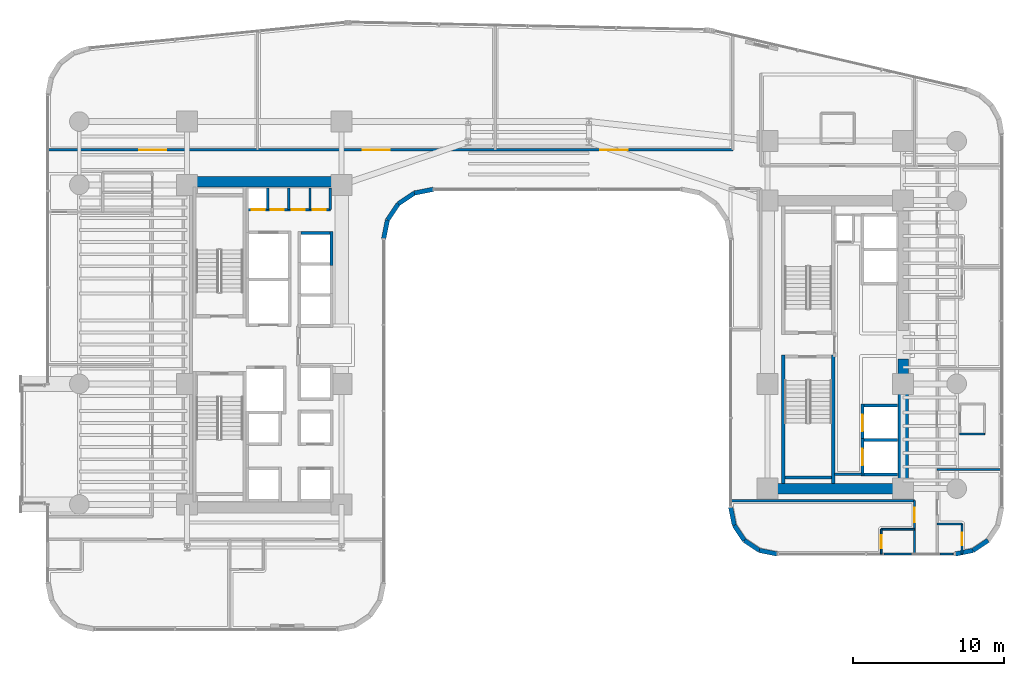
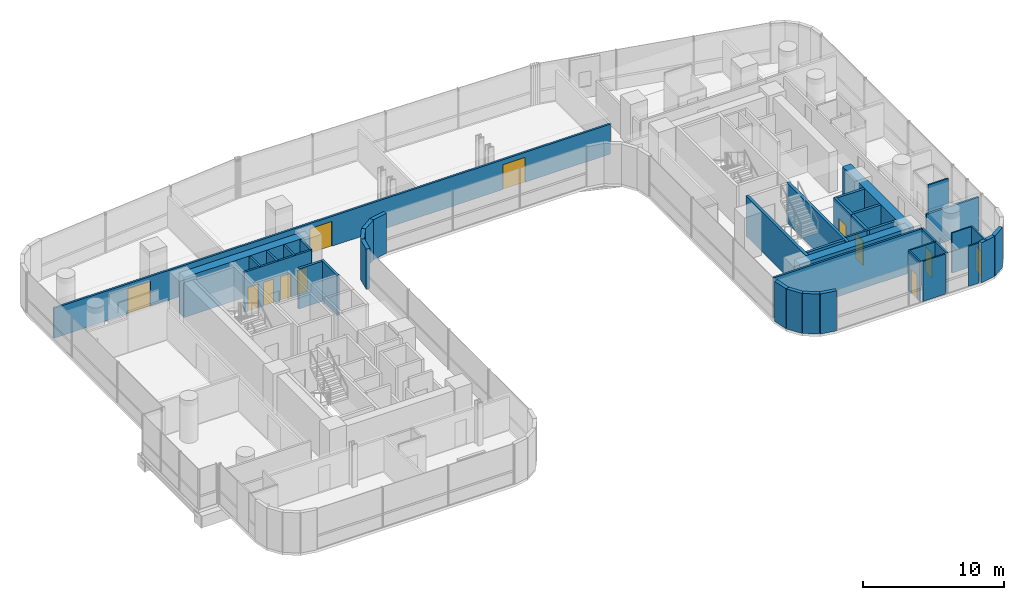
# One storey, part 32 of 41: 40 walls, 12 doors, 12 openings.
"""IFC4 building model written with IfcOpenShell, lengths in metres."""

from ifc_helpers import new_model, si_unit, direction, frame, frame_2d, origin, place, context, subcontext, project, spatial, rectangle, extrude, material, layer, layer_set, type_object, element, fill, save


model = new_model("IFC4")

# Units and contexts
model_context = context("Model", 3, precision=1e-05, world=origin(), true_north=direction((0.0, 1.0)))
body_context = subcontext(model_context, "Body", "Model", "MODEL_VIEW")
ifc_project = project(units=[si_unit("LENGTHUNIT", "METRE"), si_unit("AREAUNIT", "SQUARE_METRE"), si_unit("VOLUMEUNIT", "CUBIC_METRE"), si_unit("PLANEANGLEUNIT", "RADIAN"), si_unit("MASSUNIT", "GRAM", prefix="KILO")], contexts=[model_context])

# Site, building, storey
site_placement = place(None, origin())
site = spatial("IfcSite", under=ifc_project, at=site_placement, CompositionType="ELEMENT")
building_placement = place(site_placement, origin())
building = spatial("IfcBuilding", under=site, at=building_placement, Name="Valdorenza Pilgrim Sanctuary Tower", CompositionType="ELEMENT")
storey_placement = place(building_placement, frame((0.0, 0.0, 63.0)))
storey = spatial("IfcBuildingStorey", under=building, at=storey_placement, Name="L15", CompositionType="ELEMENT", Elevation=63.0)

# Wall, openings, doors
ifc_material_1 = material(Name="Acoustic twin-stud gypsum partition", Category="gypsum")
ifc_layer_1 = layer(ifc_material_1, 0.159912109375, Name="Acoustic twin-stud gypsum partition")
ifc_layer_set_1 = layer_set([ifc_layer_1], Name="Acoustic twin-stud gypsum partition")
wall_type_1 = type_object("IfcWallType", Name="WAL-COR-160", PredefinedType="PARTITIONING", material=ifc_layer_set_1)
wall_1_placement = place(storey_placement, frame((-18.64990234375, 8.949951171875, 0.0), z_axis=(0.0, 0.0, 1.0), x_axis=(1.0, 0.0, 0.0)))
wall_1 = element("IfcWall", 1, at=wall_1_placement, inside=storey, type_object=wall_type_1, Name="L15 Core A North Service South Wall", PredefinedType="PARTITIONING", context=body_context, shape_type="SweptSolid", body=[
    extrude(rectangle(XDim=5.5, YDim=0.159912109375, at=frame_2d((2.75, 0.0))), origin(), (0.0, 0.0, 1.0), 3.4599609375),
])
opening_1_placement = place(wall_1_placement, frame((0.300048828125, 0.0, 0.0)))
opening_1 = element("IfcOpeningElement", 2, at=opening_1_placement, cuts=wall_1, Name="Opening DR-RS1", PredefinedType="OPENING", context=body_context, shape_type="SweptSolid", body=[
    extrude(rectangle(XDim=0.85009765625, YDim=2.050048828125, at=frame_2d((0.425048828125, 1.02490234375))), frame((0.0, 0.0947265625, 0.0), z_axis=(0.0, -1.0, 0.0), x_axis=(1.0, 0.0, 0.0)), (0.0, 0.0, 1.0), 0.189697265625),
])
opening_2_placement = place(wall_1_placement, frame((1.550048828125, 0.0, 0.0)))
opening_2 = element("IfcOpeningElement", 3, at=opening_2_placement, cuts=wall_1, Name="Opening DR-RS1", PredefinedType="OPENING", context=body_context, shape_type="SweptSolid", body=[
    extrude(rectangle(XDim=0.85009765625, YDim=2.050048828125, at=frame_2d((0.425048828125, 1.02490234375))), frame((0.0, 0.0947265625, 0.0), z_axis=(0.0, -1.0, 0.0), x_axis=(1.0, 0.0, 0.0)), (0.0, 0.0, 1.0), 0.189697265625),
])
opening_3_placement = place(wall_1_placement, frame((2.949951171875, 0.0, 0.0)))
opening_3 = element("IfcOpeningElement", 4, at=opening_3_placement, cuts=wall_1, Name="Opening DR-RS1", PredefinedType="OPENING", context=body_context, shape_type="SweptSolid", body=[
    extrude(rectangle(XDim=0.85009765625, YDim=2.050048828125, at=frame_2d((0.425048828125, 1.02490234375))), frame((0.0, 0.0947265625, 0.0), z_axis=(0.0, -1.0, 0.0), x_axis=(1.0, 0.0, 0.0)), (0.0, 0.0, 1.0), 0.189697265625),
])
opening_4_placement = place(wall_1_placement, frame((4.35009765625, 0.0, 0.0)))
opening_4 = element("IfcOpeningElement", 5, at=opening_4_placement, cuts=wall_1, Name="Opening DR-RS1", PredefinedType="OPENING", context=body_context, shape_type="SweptSolid", body=[
    extrude(rectangle(XDim=0.85009765625, YDim=2.050048828125, at=frame_2d((0.425048828125, 1.02490234375))), frame((0.0, 0.0947265625, 0.0), z_axis=(0.0, -1.0, 0.0), x_axis=(1.0, 0.0, 0.0)), (0.0, 0.0, 1.0), 0.189697265625),
])
ifc_material_2 = material(Name="Painted galvanized steel", Category="steel")
door_type_1 = type_object("IfcDoorType", Name="DR-RSR-850", OperationType="NOTDEFINED", PredefinedType="DOOR", material=ifc_material_2)
door_1_placement = place(opening_1_placement, origin())
door_1 = element("IfcDoor", 6, at=door_1_placement, inside=storey, type_object=door_type_1, Name="L15 Core Electrical and Telecom Riser Door", OperationType="SINGLE_SWING_LEFT", OverallHeight=2.050048828125, OverallWidth=0.85009765625, PredefinedType="DOOR", context=body_context, shape_type="SweptSolid", body=[
    extrude(rectangle(XDim=0.85009765625, YDim=2.050048828125, at=frame_2d((0.425048828125, 1.02490234375))), frame((0.0, 0.02490234375, 0.0), z_axis=(0.0, -1.0, 0.0), x_axis=(1.0, 0.0, 0.0)), (0.0, 0.0, 1.0), 0.050048828125),
])
fill(opening_1, door_1)
door_2_placement = place(opening_2_placement, origin())
door_2 = element("IfcDoor", 7, at=door_2_placement, inside=storey, type_object=door_type_1, Name="L15 Housekeeping and Clean Linen Room Door", OperationType="SINGLE_SWING_RIGHT", OverallHeight=2.050048828125, OverallWidth=0.85009765625, PredefinedType="DOOR", context=body_context, shape_type="SweptSolid", body=[
    extrude(rectangle(XDim=0.85009765625, YDim=2.050048828125, at=frame_2d((0.425048828125, 1.02490234375))), frame((0.0, 0.02490234375, 0.0), z_axis=(0.0, -1.0, 0.0), x_axis=(1.0, 0.0, 0.0)), (0.0, 0.0, 1.0), 0.050048828125),
])
fill(opening_2, door_2)
door_3_placement = place(opening_3_placement, origin())
door_3 = element("IfcDoor", 8, at=door_3_placement, inside=storey, type_object=door_type_1, Name="L15 Core IT Server Closet Door", OperationType="SINGLE_SWING_LEFT", OverallHeight=2.050048828125, OverallWidth=0.85009765625, PredefinedType="DOOR", context=body_context, shape_type="SweptSolid", body=[
    extrude(rectangle(XDim=0.85009765625, YDim=2.050048828125, at=frame_2d((0.425048828125, 1.02490234375))), frame((0.0, 0.02490234375, 0.0), z_axis=(0.0, -1.0, 0.0), x_axis=(1.0, 0.0, 0.0)), (0.0, 0.0, 1.0), 0.050048828125),
])
fill(opening_3, door_3)
door_4_placement = place(opening_4_placement, origin())
door_4 = element("IfcDoor", 9, at=door_4_placement, inside=storey, type_object=door_type_1, Name="L15 Core Staff Washroom Door", OperationType="SINGLE_SWING_RIGHT", OverallHeight=2.050048828125, OverallWidth=0.85009765625, PredefinedType="DOOR", context=body_context, shape_type="SweptSolid", body=[
    extrude(rectangle(XDim=0.85009765625, YDim=2.050048828125, at=frame_2d((0.425048828125, 1.02490234375))), frame((0.0, 0.02490234375, 0.0), z_axis=(0.0, -1.0, 0.0), x_axis=(1.0, 0.0, 0.0)), (0.0, 0.0, 1.0), 0.050048828125),
])
fill(opening_4, door_4)

# Walls
for number, where, z_axis, x_axis, name in (
    (10, (-13.14990234375, 8.949951171875, 0.0), (0.0, 0.0, 1.0), (0.0, 1.0, 0.0), "L15 Core A North Service East Wall"),
    (11, (-17.300048828125, 8.949951171875, 0.0), (0.0, 0.0, 1.0), (0.0, 1.0, 0.0), "L15 Core Electrical Riser Wall"),
    (12, (-15.89990234375, 8.949951171875, 0.0), (0.0, 0.0, 1.0), (0.0, 1.0, 0.0), "L15 Core A Split D1"),
    (13, (-14.5, 8.949951171875, 0.0), (0.0, 0.0, 1.0), (0.0, 1.0, 0.0), "L15 Core A Split D2"),
):
    element("IfcWall", number, at=place(storey_placement, frame(where, z_axis=z_axis, x_axis=x_axis)), inside=storey, type_object=wall_type_1, Name=name, PredefinedType="PARTITIONING", context=body_context, shape_type="SweptSolid", body=[
        extrude(rectangle(XDim=1.429931640625, YDim=0.159912109375, at=frame_2d((0.71484375, 0.0))), origin(), (0.0, 0.0, 1.0), 3.4599609375),
    ])
wall_2_placement = place(storey_placement, frame((20.300048828125, -8.60009765625, 0.0), z_axis=(0.0, 0.0, 1.0), x_axis=(1.0, 0.0, 0.0)))
element("IfcWall", 14, at=wall_2_placement, inside=storey, type_object=wall_type_1, Name="L15 Core B Lift Hall South End Wall", PredefinedType="PARTITIONING", context=body_context, shape_type="SweptSolid", body=[
    extrude(rectangle(XDim=1.820068359375, YDim=0.159912109375, at=frame_2d((0.91015625, 0.0))), origin(), (0.0, 0.0, 1.0), 3.4599609375),
])

# Wall, openings, doors
wall_3_placement = place(storey_placement, frame((-31.889892578125, 12.919921875, 0.0), z_axis=(0.0, 0.0, 1.0), x_axis=(1.0, 0.0, 0.0)))
wall_3 = element("IfcWall", 15, at=wall_3_placement, inside=storey, type_object=wall_type_1, Name="L15 North Corridor Wall", PredefinedType="PARTITIONING", context=body_context, shape_type="SweptSolid", body=[
    extrude(rectangle(XDim=45.43994140625, YDim=0.159912109375, at=frame_2d((22.719970703125, 0.0))), origin(), (0.0, 0.0, 1.0), 2.5830078125),
])
opening_5_placement = place(wall_3_placement, frame((6.056884765625, 0.0, 0.0)))
opening_5 = element("IfcOpeningElement", 16, at=opening_5_placement, cuts=wall_3, Name="Opening DR-HL1", PredefinedType="OPENING", context=body_context, shape_type="SweptSolid", body=[
    extrude(rectangle(XDim=1.800048828125, YDim=2.14990234375, at=frame_2d((0.89990234375, 1.074951171875))), frame((0.0, 0.0947265625, 0.0), z_axis=(0.0, -1.0, 0.0), x_axis=(1.0, 0.0, 0.0)), (0.0, 0.0, 1.0), 0.189697265625),
])
opening_6_placement = place(wall_3_placement, frame((20.89501953125, 0.0, 0.0)))
opening_6 = element("IfcOpeningElement", 17, at=opening_6_placement, cuts=wall_3, Name="Opening DR-HL1", PredefinedType="OPENING", context=body_context, shape_type="SweptSolid", body=[
    extrude(rectangle(XDim=1.800048828125, YDim=2.14990234375, at=frame_2d((0.89990234375, 1.074951171875))), frame((0.0, 0.0947265625, 0.0), z_axis=(0.0, -1.0, 0.0), x_axis=(1.0, 0.0, 0.0)), (0.0, 0.0, 1.0), 0.189697265625),
])
opening_7_placement = place(wall_3_placement, frame((36.657958984375, 0.0, 0.0)))
opening_7 = element("IfcOpeningElement", 18, at=opening_7_placement, cuts=wall_3, Name="Opening DR-HL1", PredefinedType="OPENING", context=body_context, shape_type="SweptSolid", body=[
    extrude(rectangle(XDim=1.800048828125, YDim=2.14990234375, at=frame_2d((0.89990234375, 1.074951171875))), frame((0.0, 0.0947265625, 0.0), z_axis=(0.0, -1.0, 0.0), x_axis=(1.0, 0.0, 0.0)), (0.0, 0.0, 1.0), 0.189697265625),
])
ifc_material_3 = material(Name="Acoustic oak and vision-glass double door", Category="glass")
door_type_2 = type_object("IfcDoorType", Name="DR-HALL-1800", OperationType="NOTDEFINED", PredefinedType="DOOR", material=ifc_material_3)
door_5_placement = place(opening_5_placement, origin())
door_5 = element("IfcDoor", 19, at=door_5_placement, inside=storey, type_object=door_type_2, Name="L15 Sacred Art Exhibition Gallery L15-NG1 Door", OperationType="DOUBLE_DOOR_SINGLE_SWING", OverallHeight=2.14990234375, OverallWidth=1.800048828125, PredefinedType="DOOR", context=body_context, shape_type="SweptSolid", body=[
    extrude(rectangle(XDim=1.800048828125, YDim=2.14990234375, at=frame_2d((0.89990234375, 1.074951171875))), frame((0.0, 0.02490234375, 0.0), z_axis=(0.0, -1.0, 0.0), x_axis=(1.0, 0.0, 0.0)), (0.0, 0.0, 1.0), 0.050048828125),
])
fill(opening_5, door_5)
door_6_placement = place(opening_6_placement, frame((1.800048828125, 0.0, 0.0), z_axis=(0.0, 0.0, 1.0), x_axis=(-1.0, 0.0, 0.0)))
door_6 = element("IfcDoor", 20, at=door_6_placement, inside=storey, type_object=door_type_2, Name="L15 Sacred Art Exhibition Gallery L15-NG2 Door", OperationType="DOUBLE_DOOR_SINGLE_SWING", OverallHeight=2.14990234375, OverallWidth=1.800048828125, PredefinedType="DOOR", context=body_context, shape_type="SweptSolid", body=[
    extrude(rectangle(XDim=1.800048828125, YDim=2.14990234375, at=frame_2d((0.89990234375, 1.074951171875))), frame((0.0, 0.02490234375, 0.0), z_axis=(0.0, -1.0, 0.0), x_axis=(1.0, 0.0, 0.0)), (0.0, 0.0, 1.0), 0.050048828125),
])
fill(opening_6, door_6)
door_7_placement = place(opening_7_placement, origin())
door_7 = element("IfcDoor", 21, at=door_7_placement, inside=storey, type_object=door_type_2, Name="L15 Sacred Art Exhibition Gallery L15-NG3 Door", OperationType="DOUBLE_DOOR_SINGLE_SWING", OverallHeight=2.14990234375, OverallWidth=1.800048828125, PredefinedType="DOOR", context=body_context, shape_type="SweptSolid", body=[
    extrude(rectangle(XDim=1.800048828125, YDim=2.14990234375, at=frame_2d((0.89990234375, 1.074951171875))), frame((0.0, 0.02490234375, 0.0), z_axis=(0.0, -1.0, 0.0), x_axis=(1.0, 0.0, 0.0)), (0.0, 0.0, 1.0), 0.050048828125),
])
fill(opening_7, door_7)

# Wall, opening, door
wall_4_placement = place(storey_placement, frame((25.60009765625, -13.889892578125, 0.0), z_axis=(0.0, 0.0, 1.0), x_axis=(0.0, 1.0, 0.0)))
wall_4 = element("IfcWall", 22, at=wall_4_placement, inside=storey, type_object=wall_type_1, Name="L15 Wing B South-East Corridor Wall", PredefinedType="PARTITIONING", context=body_context, shape_type="SweptSolid", body=[
    extrude(rectangle(XDim=3.539794921875, YDim=0.159912109375, at=frame_2d((1.77001953125, 0.0))), origin(), (0.0, 0.0, 1.0), 3.4599609375),
])
opening_8_placement = place(wall_4_placement, frame((2.1201171875, 0.0, 0.0)))
opening_8 = element("IfcOpeningElement", 23, at=opening_8_placement, cuts=wall_4, Name="Opening DR-UN1", PredefinedType="OPENING", context=body_context, shape_type="SweptSolid", body=[
    extrude(rectangle(XDim=0.949951171875, YDim=2.14990234375, at=frame_2d((0.47509765625, 1.074951171875))), frame((0.0, 0.0947265625, 0.0), z_axis=(0.0, -1.0, 0.0), x_axis=(1.0, 0.0, 0.0)), (0.0, 0.0, 1.0), 0.189697265625),
])
ifc_material_4 = material(Name="Solid-core European oak timber", Category="wood")
door_type_3 = type_object("IfcDoorType", Name="DR-UNIT-950", OperationType="NOTDEFINED", PredefinedType="DOOR", material=ifc_material_4)
door_8_placement = place(opening_8_placement, frame((0.949951171875, 0.0, 0.0), z_axis=(0.0, 0.0, 1.0), x_axis=(-1.0, 0.0, 0.0)))
door_8 = element("IfcDoor", 24, at=door_8_placement, inside=storey, type_object=door_type_3, Name="L15 East South Guest Room L15-ES1 Entrance Door", OperationType="SINGLE_SWING_LEFT", OverallHeight=2.14990234375, OverallWidth=0.949951171875, PredefinedType="DOOR", context=body_context, shape_type="SweptSolid", body=[
    extrude(rectangle(XDim=0.949951171875, YDim=2.14990234375, at=frame_2d((0.47509765625, 1.074951171875))), frame((0.0, 0.02490234375, 0.0), z_axis=(0.0, -1.0, 0.0), x_axis=(1.0, 0.0, 0.0)), (0.0, 0.0, 1.0), 0.050048828125),
])
fill(opening_8, door_8)

# Walls
wall_5_placement = place(storey_placement, frame((13.409912109375, -10.35009765625, 0.0), z_axis=(0.0, 0.0, 1.0), x_axis=(1.0, 0.0, 0.0)))
element("IfcWall", 25, at=wall_5_placement, inside=storey, type_object=wall_type_1, Name="L15 Wing B South North Wall", PredefinedType="PARTITIONING", context=body_context, shape_type="SweptSolid", body=[
    extrude(rectangle(XDim=12.190185546875, YDim=0.159912109375, at=frame_2d((6.09521484375, 0.0))), origin(), (0.0, 0.0, 1.0), 3.4599609375),
])
ifc_material_5 = material(Name="Concrete C60/75", Category="concrete")
ifc_layer_2 = layer(ifc_material_5, 0.699951171875, Name="Concrete C60/75")
ifc_layer_set_2 = layer_set([ifc_layer_2], Name="Concrete C60/75")
wall_type_2 = type_object("IfcWallType", Name="WAL-COR-700", PredefinedType="SHEAR", material=ifc_layer_set_2)
wall_6_placement = place(storey_placement, frame((-22.64990234375, 10.800048828125, 0.0), z_axis=(0.0, 0.0, 1.0), x_axis=(1.0, 0.0, 0.0)))
element("IfcWall", 26, at=wall_6_placement, inside=storey, type_object=wall_type_2, Name="L15 Split Core A Shear Wall N", PredefinedType="SHEAR", context=body_context, shape_type="SweptSolid", body=[
    extrude(rectangle(XDim=10.25, YDim=0.699951171875, at=frame_2d((5.125, 0.0))), origin(), (0.0, 0.0, 1.0), 3.4599609375),
])
wall_7_placement = place(storey_placement, frame((24.85009765625, -9.89990234375, 0.0), z_axis=(0.0, 0.0, 1.0), x_axis=(0.0, 1.0, 0.0)))
element("IfcWall", 27, at=wall_7_placement, inside=storey, type_object=wall_type_2, Name="L15 Split Core B Shear Wall ES", PredefinedType="SHEAR", context=body_context, shape_type="SweptSolid", body=[
    extrude(rectangle(XDim=8.949951171875, YDim=0.699951171875, at=frame_2d((4.47509765625, 0.0))), origin(), (0.0, 0.0, 1.0), 3.4599609375),
])
wall_8_placement = place(storey_placement, frame((15.85009765625, -9.550048828125, 0.0), z_axis=(0.0, 0.0, 1.0), x_axis=(1.0, 0.0, 0.0)))
element("IfcWall", 28, at=wall_8_placement, inside=storey, type_object=wall_type_2, Name="L15 Split Core B Shear Wall S", PredefinedType="SHEAR", context=body_context, shape_type="SweptSolid", body=[
    extrude(rectangle(XDim=9.0, YDim=0.699951171875, at=frame_2d((4.5, 0.0))), origin(), (0.0, 0.0, 1.0), 3.4599609375),
])
ifc_material_6 = material(Name="Honed travertine limestone", Category="masonry")
ifc_layer_3 = layer(ifc_material_6, 0.300048828125, Name="Honed travertine limestone")
ifc_layer_set_3 = layer_set([ifc_layer_3], Name="Honed travertine limestone")
wall_type_3 = type_object("IfcWallType", Name="WAL-EXT-300", PredefinedType="SOLIDWALL", material=ifc_layer_set_3)
wall_9_placement = place(storey_placement, frame((30.4833984375, -12.9833984375, 0.0), z_axis=(0.0, 0.0, 1.0), x_axis=(-0.831426265255, -0.555635100982, 0.0)))
element("IfcWall", 29, at=wall_9_placement, inside=storey, type_object=wall_type_3, Name="L15 Rounded Wind-Corner Stone Pier 24", PredefinedType="SOLIDWALL", context=body_context, shape_type="SweptSolid", body=[
    extrude(rectangle(XDim=1.204833984375, YDim=0.300048828125, at=frame_2d((0.6025390625, 0.0))), origin(), (0.0, 0.0, 1.0), 3.4599609375),
])
for number, where, z_axis, x_axis, name in (
    (30, (29.481689453125, -13.65283203125, 0.0), (0.0, 0.0, 1.0), (-0.980804027463, -0.194996050505, 0.0), "L15 Rounded Wind-Corner Stone Pier 25"),
    (31, (16.5107421875, -13.889892578125, 0.0), (0.0, 0.0, 1.0), (-0.980804027463, 0.194996050505, 0.0), "L15 Rounded Wind-Corner Stone Pier 27"),
):
    element("IfcWall", number, at=place(storey_placement, frame(where, z_axis=z_axis, x_axis=x_axis)), inside=storey, type_object=wall_type_3, Name=name, PredefinedType="SOLIDWALL", context=body_context, shape_type="SweptSolid", body=[
        extrude(rectangle(XDim=1.2158203125, YDim=0.300048828125, at=frame_2d((0.60791015625, 0.0))), origin(), (0.0, 0.0, 1.0), 3.4599609375),
    ])
for number, where, z_axis, x_axis, name in (
    (32, (15.318359375, -13.65283203125, 0.0), (0.0, 0.0, 1.0), (-0.831426265255, 0.555635100982, 0.0), "L15 Rounded Wind-Corner Stone Pier 28"),
    (33, (14.316650390625, -12.9833984375, 0.0), (0.0, 0.0, 1.0), (-0.555635100982, 0.831426265255, 0.0), "L15 Rounded Wind-Corner Stone Pier 29"),
):
    element("IfcWall", number, at=place(storey_placement, frame(where, z_axis=z_axis, x_axis=x_axis)), inside=storey, type_object=wall_type_3, Name=name, PredefinedType="SOLIDWALL", context=body_context, shape_type="SweptSolid", body=[
        extrude(rectangle(XDim=1.204833984375, YDim=0.300048828125, at=frame_2d((0.6025390625, 0.0))), origin(), (0.0, 0.0, 1.0), 3.4599609375),
    ])
wall_10_placement = place(storey_placement, frame((13.647216796875, -11.981689453125, 0.0), z_axis=(0.0, 0.0, 1.0), x_axis=(-0.195189223115, 0.980765602568, 0.0)))
element("IfcWall", 34, at=wall_10_placement, inside=storey, type_object=wall_type_3, Name="L15 Rounded Wind-Corner Stone Pier 30", PredefinedType="SOLIDWALL", context=body_context, shape_type="SweptSolid", body=[
    extrude(rectangle(XDim=1.2158203125, YDim=0.300048828125, at=frame_2d((0.60791015625, 0.0))), origin(), (0.0, 0.0, 1.0), 3.4599609375),
])
wall_11_placement = place(storey_placement, frame((-6.310791015625, 10.31005859375, 0.0), z_axis=(0.0, 0.0, 1.0), x_axis=(-0.980778058848, -0.195126623715, 0.0)))
element("IfcWall", 35, at=wall_11_placement, inside=storey, type_object=wall_type_3, Name="L15 Rounded Wind-Corner Stone Pier 37", PredefinedType="SOLIDWALL", context=body_context, shape_type="SweptSolid", body=[
    extrude(rectangle(XDim=1.28125, YDim=0.300048828125, at=frame_2d((0.640625, 0.0))), origin(), (0.0, 0.0, 1.0), 3.4599609375),
])
wall_12_placement = place(storey_placement, frame((-7.5673828125, 10.06005859375, 0.0), z_axis=(0.0, 0.0, 1.0), x_axis=(-0.831497739511, -0.555528135371, 0.0)))
element("IfcWall", 36, at=wall_12_placement, inside=storey, type_object=wall_type_3, Name="L15 Rounded Wind-Corner Stone Pier 38", PredefinedType="SOLIDWALL", context=body_context, shape_type="SweptSolid", body=[
    extrude(rectangle(XDim=1.29248046875, YDim=0.300048828125, at=frame_2d((0.646240234375, 0.0))), origin(), (0.0, 0.0, 1.0), 3.4599609375),
])
wall_13_placement = place(storey_placement, frame((-8.64208984375, 9.342041015625, 0.0), z_axis=(0.0, 0.0, 1.0), x_axis=(-0.555615398575, -0.831439431869, 0.0)))
element("IfcWall", 37, at=wall_13_placement, inside=storey, type_object=wall_type_3, Name="L15 Rounded Wind-Corner Stone Pier 39", PredefinedType="SOLIDWALL", context=body_context, shape_type="SweptSolid", body=[
    extrude(rectangle(XDim=1.292236328125, YDim=0.300048828125, at=frame_2d((0.64599609375, 0.0))), origin(), (0.0, 0.0, 1.0), 3.4599609375),
])
wall_14_placement = place(storey_placement, frame((-9.360107421875, 8.267578125, 0.0), z_axis=(0.0, 0.0, 1.0), x_axis=(-0.195090163074, -0.980785312019, 0.0)))
element("IfcWall", 38, at=wall_14_placement, inside=storey, type_object=wall_type_3, Name="L15 Rounded Wind-Corner Stone Pier 40", PredefinedType="SOLIDWALL", context=body_context, shape_type="SweptSolid", body=[
    extrude(rectangle(XDim=1.281494140625, YDim=0.300048828125, at=frame_2d((0.640625, 0.0))), origin(), (0.0, 0.0, 1.0), 3.4599609375),
])
ifc_material_7 = material(Name="Moisture-resistant gypsum partition", Category="gypsum")
ifc_layer_4 = layer(ifc_material_7, 0.1201171875, Name="Moisture-resistant gypsum partition")
ifc_layer_set_4 = layer_set([ifc_layer_4], Name="Moisture-resistant gypsum partition")
wall_type_4 = type_object("IfcWallType", Name="WAL-INT-120", PredefinedType="PARTITIONING", material=ifc_layer_set_4)
wall_15_placement = place(storey_placement, frame((23.39990234375, -12.239990234375, 0.0), z_axis=(0.0, 0.0, 1.0), x_axis=(1.0, 0.0, 0.0)))
element("IfcWall", 39, at=wall_15_placement, inside=storey, type_object=wall_type_4, Name="L15 East South Guest Room L15-ES1 En-suite North Wall", PredefinedType="PARTITIONING", context=body_context, shape_type="SweptSolid", body=[
    extrude(rectangle(XDim=2.2001953125, YDim=0.1201171875, at=frame_2d((1.10009765625, 0.0))), origin(), (0.0, 0.0, 1.0), 3.4599609375),
])

# Wall, opening, door
wall_16_placement = place(storey_placement, frame((23.39990234375, -13.889892578125, 0.0), z_axis=(0.0, 0.0, 1.0), x_axis=(0.0, 1.0, 0.0)))
wall_16 = element("IfcWall", 40, at=wall_16_placement, inside=storey, type_object=wall_type_4, Name="L15 East South Guest Room L15-ES1 En-suite Door Wall", PredefinedType="PARTITIONING", context=body_context, shape_type="SweptSolid", body=[
    extrude(rectangle(XDim=1.64990234375, YDim=0.1201171875, at=frame_2d((0.824951171875, 0.0))), origin(), (0.0, 0.0, 1.0), 3.4599609375),
])
opening_9_placement = place(wall_16_placement, frame((0.39990234375, 0.0, 0.0)))
opening_9 = element("IfcOpeningElement", 41, at=opening_9_placement, cuts=wall_16, Name="Opening DR-WC1", PredefinedType="OPENING", context=body_context, shape_type="SweptSolid", body=[
    extrude(rectangle(XDim=0.85009765625, YDim=2.10009765625, at=frame_2d((0.425048828125, 1.050048828125))), frame((0.0, 0.074951171875, 0.0), z_axis=(0.0, -1.0, 0.0), x_axis=(1.0, 0.0, 0.0)), (0.0, 0.0, 1.0), 0.14990234375),
])
ifc_material_8 = material(Name="Moisture-resistant lacquered timber", Category="wood")
door_type_4 = type_object("IfcDoorType", Name="DR-BATH-850", OperationType="NOTDEFINED", PredefinedType="DOOR", material=ifc_material_8)
door_9_placement = place(opening_9_placement, origin())
door_9 = element("IfcDoor", 42, at=door_9_placement, inside=storey, type_object=door_type_4, Name="L15 East South Guest Room L15-ES1 En-suite Bathroom Door", OperationType="SINGLE_SWING_RIGHT", OverallHeight=2.10009765625, OverallWidth=0.85009765625, PredefinedType="DOOR", context=body_context, shape_type="SweptSolid", body=[
    extrude(rectangle(XDim=0.85009765625, YDim=2.10009765625, at=frame_2d((0.425048828125, 1.050048828125))), frame((0.0, 0.02490234375, 0.0), z_axis=(0.0, -1.0, 0.0), x_axis=(1.0, 0.0, 0.0)), (0.0, 0.0, 1.0), 0.050048828125),
])
fill(opening_9, door_9)

# Walls
wall_17_placement = place(storey_placement, frame((23.580078125, -13.889892578125, 0.0), z_axis=(0.0, 0.0, 1.0), x_axis=(1.0, 0.0, 0.0)))
element("IfcWall", 43, at=wall_17_placement, inside=storey, type_object=wall_type_4, Name="L15 WB-SG1-ENS Enclosure Wall S", PredefinedType="PARTITIONING", context=body_context, shape_type="SweptSolid", body=[
    extrude(rectangle(XDim=1.81982421875, YDim=0.1201171875, at=frame_2d((0.909912109375, 0.0))), origin(), (0.0, 0.0, 1.0), 3.4599609375),
])
wall_18_placement = place(storey_placement, frame((27.10009765625, -11.889892578125, 0.0), z_axis=(0.0, 0.0, 1.0), x_axis=(1.0, 0.0, 0.0)))
element("IfcWall", 44, at=wall_18_placement, inside=storey, type_object=wall_type_4, Name="L15 East Sanctuary Guest Room L15-EG1 En-suite North Wall", PredefinedType="PARTITIONING", context=body_context, shape_type="SweptSolid", body=[
    extrude(rectangle(XDim=1.64990234375, YDim=0.1201171875, at=frame_2d((0.824951171875, 0.0))), origin(), (0.0, 0.0, 1.0), 3.4599609375),
])

# Wall, opening, door
wall_19_placement = place(storey_placement, frame((28.75, -13.889892578125, 0.0), z_axis=(0.0, 0.0, 1.0), x_axis=(0.0, 1.0, 0.0)))
wall_19 = element("IfcWall", 45, at=wall_19_placement, inside=storey, type_object=wall_type_4, Name="L15 East Sanctuary Guest Room L15-EG1 En-suite Door Wall", PredefinedType="PARTITIONING", context=body_context, shape_type="SweptSolid", body=[
    extrude(rectangle(XDim=2.0, YDim=0.1201171875, at=frame_2d((1.0, 0.0))), origin(), (0.0, 0.0, 1.0), 3.4599609375),
])
opening_10_placement = place(wall_19_placement, frame((0.574951171875, 0.0, 0.0)))
opening_10 = element("IfcOpeningElement", 46, at=opening_10_placement, cuts=wall_19, Name="Opening DR-WC1", PredefinedType="OPENING", context=body_context, shape_type="SweptSolid", body=[
    extrude(rectangle(XDim=0.85009765625, YDim=2.10009765625, at=frame_2d((0.425048828125, 1.050048828125))), frame((0.0, 0.074951171875, 0.0), z_axis=(0.0, -1.0, 0.0), x_axis=(1.0, 0.0, 0.0)), (0.0, 0.0, 1.0), 0.14990234375),
])
door_10_placement = place(opening_10_placement, origin())
door_10 = element("IfcDoor", 47, at=door_10_placement, inside=storey, type_object=door_type_4, Name="L15 East Sanctuary Guest Room L15-EG1 En-suite Bathroom Door", OperationType="SINGLE_SWING_LEFT", OverallHeight=2.10009765625, OverallWidth=0.85009765625, PredefinedType="DOOR", context=body_context, shape_type="SweptSolid", body=[
    extrude(rectangle(XDim=0.85009765625, YDim=2.10009765625, at=frame_2d((0.425048828125, 1.050048828125))), frame((0.0, 0.02490234375, 0.0), z_axis=(0.0, -1.0, 0.0), x_axis=(1.0, 0.0, 0.0)), (0.0, 0.0, 1.0), 0.050048828125),
])
fill(opening_10, door_10)

# Walls
wall_20_placement = place(storey_placement, frame((27.300048828125, -13.889892578125, 0.0), z_axis=(0.0, 0.0, 1.0), x_axis=(1.0, 0.0, 0.0)))
element("IfcWall", 48, at=wall_20_placement, inside=storey, type_object=wall_type_4, Name="L15 WB-EG1-ENS Enclosure Wall S", PredefinedType="PARTITIONING", context=body_context, shape_type="SweptSolid", body=[
    extrude(rectangle(XDim=0.86669921875, YDim=0.1201171875, at=frame_2d((0.433349609375, 0.0))), origin(), (0.0, 0.0, 1.0), 3.4599609375),
])
wall_21_placement = place(storey_placement, frame((28.60009765625, -5.930908203125, 0.0), z_axis=(0.0, 0.0, 1.0), x_axis=(1.0, 0.0, 0.0)))
element("IfcWall", 49, at=wall_21_placement, inside=storey, type_object=wall_type_4, Name="L15 East Sanctuary Guest Room L15-EG2 En-suite South Wall", PredefinedType="PARTITIONING", context=body_context, shape_type="SweptSolid", body=[
    extrude(rectangle(XDim=1.64990234375, YDim=0.1201171875, at=frame_2d((0.824951171875, 0.0))), origin(), (0.0, 0.0, 1.0), 3.4599609375),
])

# Wall, opening, door
ifc_material_9 = material(Name="Autoclaved aerated concrete blockwork", Category="masonry")
ifc_layer_5 = layer(ifc_material_9, 0.199951171875, Name="Autoclaved aerated concrete blockwork")
ifc_layer_set_5 = layer_set([ifc_layer_5], Name="Autoclaved aerated concrete blockwork")
wall_type_5 = type_object("IfcWallType", Name="WAL-SHF-200", PredefinedType="MOVABLE", material=ifc_layer_set_5)
wall_22_placement = place(storey_placement, frame((22.14990234375, -8.699951171875, 0.0), z_axis=(0.0, 0.0, 1.0), x_axis=(0.0, 1.0, 0.0)))
wall_22 = element("IfcWall", 50, at=wall_22_placement, inside=storey, type_object=wall_type_5, Name="L15 Lift PL-03 Hoistway Wall West", PredefinedType="MOVABLE", context=body_context, shape_type="SweptSolid", body=[
    extrude(rectangle(XDim=2.474853515625, YDim=0.199951171875, at=frame_2d((1.2373046875, 0.0))), origin(), (0.0, 0.0, 1.0), 3.4599609375),
])
opening_11_placement = place(wall_22_placement, frame((0.6875, 0.0, 0.0)))
opening_11 = element("IfcOpeningElement", 51, at=opening_11_placement, cuts=wall_22, Name="Opening LD-01", PredefinedType="OPENING", context=body_context, shape_type="SweptSolid", body=[
    extrude(rectangle(XDim=1.10009765625, YDim=2.10009765625, at=frame_2d((0.550048828125, 1.050048828125))), frame((0.0, 0.11474609375, 0.0), z_axis=(0.0, -1.0, 0.0), x_axis=(1.0, 0.0, 0.0)), (0.0, 0.0, 1.0), 0.229736328125),
])
ifc_material_10 = material(Name="Brushed stainless steel Grade 316", Category="steel")
door_type_5 = type_object("IfcDoorType", Name="DR-LFT-1100", OperationType="DOUBLE_DOOR_SLIDING", PredefinedType="DOOR", material=ifc_material_10)
door_11_placement = place(opening_11_placement, origin())
door_11 = element("IfcDoor", 52, at=door_11_placement, inside=storey, type_object=door_type_5, Name="L15 Lift PL-03 Sliding Landing Door", OperationType="DOUBLE_DOOR_SLIDING", OverallHeight=2.10009765625, OverallWidth=1.10009765625, PredefinedType="DOOR", context=body_context, shape_type="SweptSolid", body=[
    extrude(rectangle(XDim=1.10009765625, YDim=2.10009765625, at=frame_2d((0.550048828125, 1.050048828125))), frame((0.0, 0.02490234375, 0.0), z_axis=(0.0, -1.0, 0.0), x_axis=(1.0, 0.0, 0.0)), (0.0, 0.0, 1.0), 0.050048828125),
])
fill(opening_11, door_11)

# Walls
for number, where, z_axis, x_axis, name in (
    (53, (22.25, -8.60009765625, 0.0), (0.0, 0.0, 1.0), (1.0, 0.0, 0.0), "L15 Lift PL-03 Hoistway Wall South"),
    (54, (22.25, -6.324951171875, 0.0), (0.0, 0.0, 1.0), (1.0, 0.0, 0.0), "L15 Lift PL-03 Hoistway Wall North"),
):
    element("IfcWall", number, at=place(storey_placement, frame(where, z_axis=z_axis, x_axis=x_axis)), inside=storey, type_object=wall_type_5, Name=name, PredefinedType="MOVABLE", context=body_context, shape_type="SweptSolid", body=[
        extrude(rectangle(XDim=2.22998046875, YDim=0.199951171875, at=frame_2d((1.114990234375, 0.0))), origin(), (0.0, 0.0, 1.0), 3.4599609375),
    ])

# Wall, opening, door
wall_23_placement = place(storey_placement, frame((22.14990234375, -6.425048828125, 0.0), z_axis=(0.0, 0.0, 1.0), x_axis=(0.0, 1.0, 0.0)))
wall_23 = element("IfcWall", 55, at=wall_23_placement, inside=storey, type_object=wall_type_5, Name="L15 Lift PL-04 Hoistway Wall West", PredefinedType="MOVABLE", context=body_context, shape_type="SweptSolid", body=[
    extrude(rectangle(XDim=2.47509765625, YDim=0.199951171875, at=frame_2d((1.237548828125, 0.0))), origin(), (0.0, 0.0, 1.0), 3.4599609375),
])
opening_12_placement = place(wall_23_placement, frame((0.6875, 0.0, 0.0)))
opening_12 = element("IfcOpeningElement", 56, at=opening_12_placement, cuts=wall_23, Name="Opening LD-01", PredefinedType="OPENING", context=body_context, shape_type="SweptSolid", body=[
    extrude(rectangle(XDim=1.10009765625, YDim=2.10009765625, at=frame_2d((0.550048828125, 1.050048828125))), frame((0.0, 0.11474609375, 0.0), z_axis=(0.0, -1.0, 0.0), x_axis=(1.0, 0.0, 0.0)), (0.0, 0.0, 1.0), 0.229736328125),
])
door_12_placement = place(opening_12_placement, origin())
door_12 = element("IfcDoor", 57, at=door_12_placement, inside=storey, type_object=door_type_5, Name="L15 Lift PL-04 Sliding Landing Door", OperationType="DOUBLE_DOOR_SLIDING", OverallHeight=2.10009765625, OverallWidth=1.10009765625, PredefinedType="DOOR", context=body_context, shape_type="SweptSolid", body=[
    extrude(rectangle(XDim=1.10009765625, YDim=2.10009765625, at=frame_2d((0.550048828125, 1.050048828125))), frame((0.0, 0.02490234375, 0.0), z_axis=(0.0, -1.0, 0.0), x_axis=(1.0, 0.0, 0.0)), (0.0, 0.0, 1.0), 0.050048828125),
])
fill(opening_12, door_12)

# Walls
wall_24_placement = place(storey_placement, frame((22.25, -4.050048828125, 0.0), z_axis=(0.0, 0.0, 1.0), x_axis=(1.0, 0.0, 0.0)))
element("IfcWall", 58, at=wall_24_placement, inside=storey, type_object=wall_type_5, Name="L15 Lift PL-04 Hoistway Wall North", PredefinedType="MOVABLE", context=body_context, shape_type="SweptSolid", body=[
    extrude(rectangle(XDim=2.22998046875, YDim=0.199951171875, at=frame_2d((1.114990234375, 0.0))), origin(), (0.0, 0.0, 1.0), 3.4599609375),
])
wall_25_placement = place(storey_placement, frame((-13.080078125, 5.25, 0.0), z_axis=(0.0, 0.0, 1.0), x_axis=(0.0, 1.0, 0.0)))
element("IfcWall", 59, at=wall_25_placement, inside=storey, type_object=wall_type_5, Name="L15 Lift PL-10 Hoistway Wall East", PredefinedType="MOVABLE", context=body_context, shape_type="SweptSolid", body=[
    extrude(rectangle(XDim=2.25, YDim=0.199951171875, at=frame_2d((1.125, 0.0))), origin(), (0.0, 0.0, 1.0), 3.4599609375),
])
wall_26_placement = place(storey_placement, frame((-15.10009765625, 7.39990234375, 0.0), z_axis=(0.0, 0.0, 1.0), x_axis=(1.0, 0.0, 0.0)))
element("IfcWall", 60, at=wall_26_placement, inside=storey, type_object=wall_type_5, Name="L15 Lift PL-10 Hoistway Wall North", PredefinedType="MOVABLE", context=body_context, shape_type="SweptSolid", body=[
    extrude(rectangle(XDim=1.920166015625, YDim=0.199951171875, at=frame_2d((0.9599609375, 0.0))), origin(), (0.0, 0.0, 1.0), 3.4599609375),
])
ifc_material_11 = material(Name="Concrete C40/50", Category="concrete")
ifc_layer_6 = layer(ifc_material_11, 0.219970703125, Name="Concrete C40/50")
ifc_layer_set_6 = layer_set([ifc_layer_6], Name="Concrete C40/50")
wall_type_6 = type_object("IfcWallType", Name="WAL-STR-SHF-220", PredefinedType="SHEAR", material=ifc_layer_set_6)
for number, where, z_axis, x_axis, name in (
    (61, (16.889892578125, -9.199951171875, 0.0), (0.0, 0.0, 1.0), (0.0, 1.0, 0.0), "L15 ST-B2 Structural Stairwell Wall W"),
    (62, (20.219970703125, -9.199951171875, 0.0), (0.0, 0.0, 1.0), (0.0, 1.0, 0.0), "L15 ST-B2 Structural Stairwell Wall E"),
):
    element("IfcWall", number, at=place(storey_placement, frame(where, z_axis=z_axis, x_axis=x_axis)), inside=storey, type_object=wall_type_6, Name=name, PredefinedType="SHEAR", context=body_context, shape_type="SweptSolid", body=[
        extrude(rectangle(XDim=8.52001953125, YDim=0.219970703125, at=frame_2d((4.260009765625, 0.0))), origin(), (0.0, 0.0, 1.0), 3.4599609375),
    ])
wall_27_placement = place(storey_placement, frame((17.0, -8.81005859375, 0.0), z_axis=(0.0, 0.0, 1.0), x_axis=(1.0, 0.0, 0.0)))
element("IfcWall", 63, at=wall_27_placement, inside=storey, type_object=wall_type_6, Name="L15 ST-B2 Structural Stairwell Wall S", PredefinedType="SHEAR", context=body_context, shape_type="SweptSolid", body=[
    extrude(rectangle(XDim=3.110107421875, YDim=0.219970703125, at=frame_2d((1.55517578125, 0.0))), origin(), (0.0, 0.0, 1.0), 3.4599609375),
])
ifc_layer_7 = layer(ifc_material_1, 0.14990234375, Name="Acoustic twin-stud gypsum partition")
ifc_layer_set_7 = layer_set([ifc_layer_7], Name="Acoustic twin-stud gypsum partition")
wall_type_7 = type_object("IfcWallType", Name="WAL-UNT-150", PredefinedType="PARTITIONING", material=ifc_layer_set_7)
wall_28_placement = place(storey_placement, frame((27.10009765625, -8.287109375, 0.0), z_axis=(0.0, 0.0, 1.0), x_axis=(1.0, 0.0, 0.0)))
element("IfcWall", 64, at=wall_28_placement, inside=storey, type_object=wall_type_7, Name="L15 East Wing Guest Demising 1", PredefinedType="PARTITIONING", context=body_context, shape_type="SweptSolid", body=[
    extrude(rectangle(XDim=4.289794921875, YDim=0.14990234375, at=frame_2d((2.14501953125, 0.0))), origin(), (0.0, 0.0, 1.0), 2.89599609375),
])

save(model, "model.ifc")
